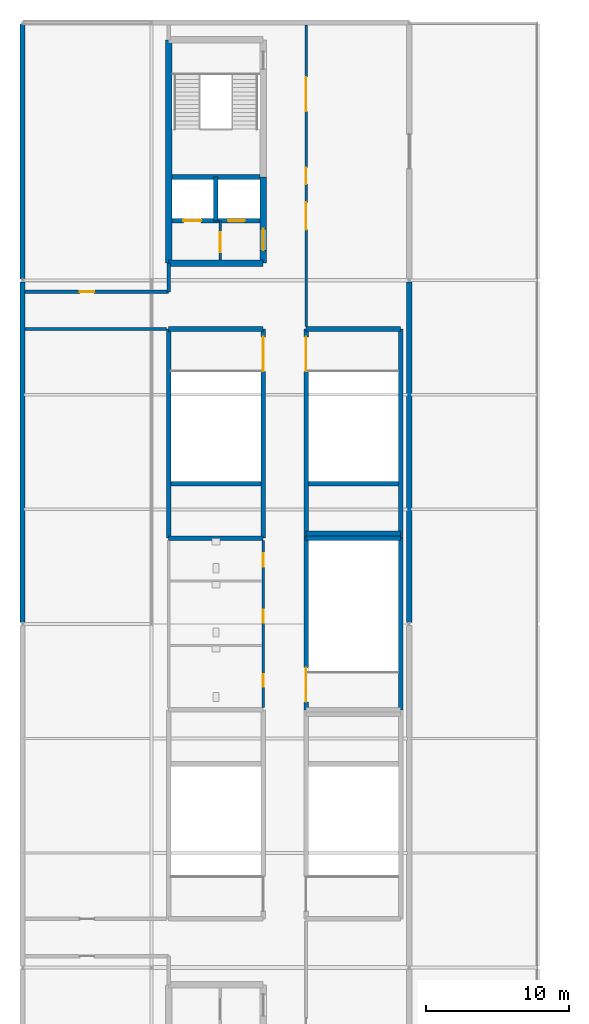
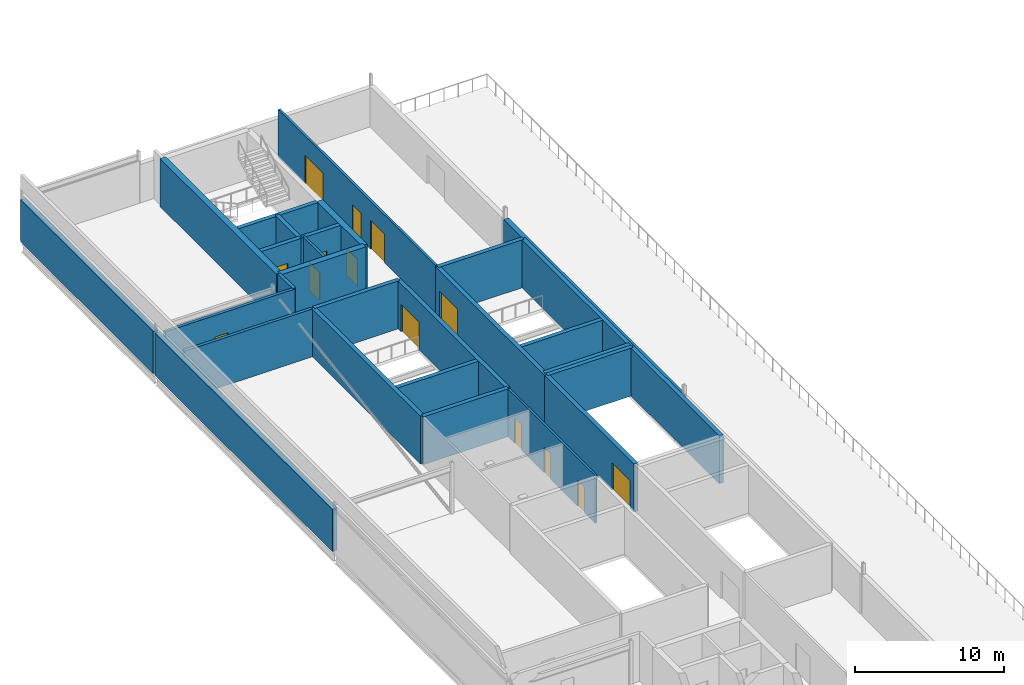
# One storey, part 15 of 23: 29 walls, 14 doors, 14 openings.
"""IFC4 building model written with IfcOpenShell, lengths in metres."""

from ifc_helpers import new_model, si_unit, direction, frame, frame_2d, origin, place, context, subcontext, project, spatial, rectangle, extrude, material, layer, layer_set, type_object, element, fill, save


model = new_model("IFC4")

# Units and contexts
model_context = context("Model", 3, precision=1e-05, world=origin(), true_north=direction((0.0, 1.0)))
body_context = subcontext(model_context, "Body", "Model", "MODEL_VIEW")
ifc_project = project(units=[si_unit("LENGTHUNIT", "METRE"), si_unit("AREAUNIT", "SQUARE_METRE"), si_unit("VOLUMEUNIT", "CUBIC_METRE"), si_unit("PLANEANGLEUNIT", "RADIAN"), si_unit("MASSUNIT", "GRAM", prefix="KILO")], contexts=[model_context])

# Site, building, storey
site_placement = place(None, origin())
site = spatial("IfcSite", under=ifc_project, at=site_placement, CompositionType="ELEMENT")
building_placement = place(site_placement, origin())
building = spatial("IfcBuilding", under=site, at=building_placement, Name="Kisiwana Market Hall", CompositionType="ELEMENT")
storey_placement = place(building_placement, frame((0.0, 0.0, 65.699951171875)))
storey = spatial("IfcBuildingStorey", under=building, at=storey_placement, Name="L15", CompositionType="ELEMENT", Elevation=65.699951171875)

# Wall, opening, door
ifc_material_1 = material(Name="Masonry blockwork", Category="masonry")
ifc_layer_1 = layer(ifc_material_1, 0.199951171875, Name="Plastered fire compartment block wall")
ifc_layer_set_1 = layer_set([ifc_layer_1], Name="WL-COMP-200")
wall_type_1 = type_object("IfcWallType", Name="WL-COMP-200", PredefinedType="PARTITIONING", material=ifc_layer_set_1)
wall_1_placement = place(storey_placement, frame((13.800048828125, 85.425048828125, 0.0), z_axis=(0.0, 0.0, 1.0), x_axis=(0.0, 1.0, 0.0)))
wall_1 = element("IfcWall", 1, at=wall_1_placement, inside=storey, type_object=wall_type_1, Name="Core W1 firefighting lobby wall W-3458", PredefinedType="PARTITIONING", context=body_context, shape_type="SweptSolid", body=[
    extrude(rectangle(XDim=2.72998046875, YDim=0.199951171875, at=frame_2d((1.364990234375, 0.0))), origin(), (0.0, 0.0, 1.0), 3.920166015625),
])
opening_1_placement = place(wall_1_placement, frame((0.550048828125, 0.0, 0.0)))
opening_1 = element("IfcOpeningElement", 2, at=opening_1_placement, cuts=wall_1, Name="Opening DR-L15-006", PredefinedType="OPENING", context=body_context, shape_type="SweptSolid", body=[
    extrude(rectangle(XDim=1.39990234375, YDim=2.25, at=frame_2d((0.699951171875, 1.125))), frame((0.0, 0.11181640625, 0.0), z_axis=(0.0, -1.0, 0.0), x_axis=(1.0, 0.0, 0.0)), (0.0, 0.0, 1.0), 0.223876953125),
])
ifc_material_2 = material(Name="Steel S275", Category="steel")
door_type_1 = type_object("IfcDoorType", Name="DR-FFLOB-FD120-1400", OperationType="DOUBLE_DOOR_SINGLE_SWING", PredefinedType="DOOR", material=ifc_material_2)
door_1_placement = place(opening_1_placement, frame((1.39990234375, 0.0, 0.0), z_axis=(0.0, 0.0, 1.0), x_axis=(-1.0, 0.0, 0.0)))
door_1 = element("IfcDoor", 3, at=door_1_placement, inside=storey, type_object=door_type_1, Name="Firefighting Lift Lobby W1 Door (L15)", OperationType="DOUBLE_DOOR_SINGLE_SWING", OverallHeight=2.25, OverallWidth=1.39990234375, PredefinedType="DOOR", context=body_context, shape_type="SweptSolid", body=[
    extrude(rectangle(XDim=1.39990234375, YDim=2.25, at=frame_2d((0.699951171875, 1.125))), frame((0.0, 0.02490234375, 0.0), z_axis=(0.0, -1.0, 0.0), x_axis=(1.0, 0.0, 0.0)), (0.0, 0.0, 1.0), 0.050048828125),
])
fill(opening_1, door_1)

# Walls
ifc_material_3 = material(Name="Concrete C40/50", Category="concrete")
ifc_layer_2 = layer(ifc_material_3, 0.320068359375, Name="Reinforced concrete shaft wall")
ifc_layer_set_2 = layer_set([ifc_layer_2], Name="WL-CORE-320")
wall_type_2 = type_object("IfcWallType", Name="WL-CORE-320", PredefinedType="SHEAR", material=ifc_layer_set_2)
wall_2_placement = place(storey_placement, frame((10.425048828125, 91.215087890625, 0.0), z_axis=(0.0, 0.0, 1.0), x_axis=(1.0, 0.0, 0.0)))
element("IfcWall", 4, at=wall_2_placement, inside=storey, type_object=wall_type_2, Name="Core W1 shaft back shear wall W-3363", PredefinedType="SHEAR", context=body_context, shape_type="SweptSolid", body=[
    extrude(rectangle(XDim=6.14990234375, YDim=0.320068359375, at=frame_2d((3.074951171875, 0.0))), origin(), (0.0, 0.0, 1.0), 3.920166015625),
])
wall_3_placement = place(storey_placement, frame((13.5, 88.155029296875, 0.0), z_axis=(0.0, 0.0, 1.0), x_axis=(0.0, 1.0, 0.0)))
element("IfcWall", 5, at=wall_3_placement, inside=storey, type_object=wall_type_2, Name="Core W1 inter-shaft shear wall W-3364", PredefinedType="SHEAR", context=body_context, shape_type="SweptSolid", body=[
    extrude(rectangle(XDim=3.06005859375, YDim=0.320068359375, at=frame_2d((1.530029296875, 0.0))), origin(), (0.0, 0.0, 1.0), 3.920166015625),
])

# Wall, opening, door
wall_4_placement = place(storey_placement, frame((10.425048828125, 88.155029296875, 0.0), z_axis=(0.0, 0.0, 1.0), x_axis=(1.0, 0.0, 0.0)))
wall_4 = element("IfcWall", 6, at=wall_4_placement, inside=storey, type_object=wall_type_2, Name="Core W1 west lift front wall W-3365", PredefinedType="SHEAR", context=body_context, shape_type="SweptSolid", body=[
    extrude(rectangle(XDim=3.074951171875, YDim=0.320068359375, at=frame_2d((1.53759765625, 0.0))), origin(), (0.0, 0.0, 1.0), 3.920166015625),
])
opening_2_placement = place(wall_4_placement, frame((0.800048828125, 0.0, 0.0)))
opening_2 = element("IfcOpeningElement", 7, at=opening_2_placement, cuts=wall_4, Name="Opening LD-L15-003", PredefinedType="OPENING", context=body_context, shape_type="SweptSolid", body=[
    extrude(rectangle(XDim=1.25, YDim=2.25, at=frame_2d((0.625, 1.125))), frame((0.0, 0.171875, 0.0), z_axis=(0.0, -1.0, 0.0), x_axis=(1.0, 0.0, 0.0)), (0.0, 0.0, 1.0), 0.343994140625),
])
ifc_material_4 = material(Name="Steel S275", Category="steel")
door_type_2 = type_object("IfcDoorType", Name="DR-LIFT-FFL-1250", OperationType="DOUBLE_DOOR_SLIDING", PredefinedType="DOOR", material=ifc_material_4)
door_2_placement = place(opening_2_placement, origin())
door_2 = element("IfcDoor", 8, at=door_2_placement, inside=storey, type_object=door_type_2, Name="Lift Landing Door FFL-02 (L15)", OperationType="DOUBLE_DOOR_SLIDING", OverallHeight=2.25, OverallWidth=1.25, PredefinedType="DOOR", context=body_context, shape_type="SweptSolid", body=[
    extrude(rectangle(XDim=1.25, YDim=2.25, at=frame_2d((0.625, 1.125))), frame((0.0, 0.02490234375, 0.0), z_axis=(0.0, -1.0, 0.0), x_axis=(1.0, 0.0, 0.0)), (0.0, 0.0, 1.0), 0.050048828125),
])
fill(opening_2, door_2)

wall_5_placement = place(storey_placement, frame((13.5, 88.155029296875, 0.0), z_axis=(0.0, 0.0, 1.0), x_axis=(1.0, 0.0, 0.0)))
wall_5 = element("IfcWall", 9, at=wall_5_placement, inside=storey, type_object=wall_type_2, Name="Core W1 east lift front wall W-3366", PredefinedType="SHEAR", context=body_context, shape_type="SweptSolid", body=[
    extrude(rectangle(XDim=3.074951171875, YDim=0.320068359375, at=frame_2d((1.53759765625, 0.0))), origin(), (0.0, 0.0, 1.0), 3.920166015625),
])
opening_3_placement = place(wall_5_placement, frame((0.85009765625, 0.0, 0.0)))
opening_3 = element("IfcOpeningElement", 10, at=opening_3_placement, cuts=wall_5, Name="Opening LD-L15-004", PredefinedType="OPENING", context=body_context, shape_type="SweptSolid", body=[
    extrude(rectangle(XDim=1.14990234375, YDim=2.199951171875, at=frame_2d((0.574951171875, 1.10009765625))), frame((0.0, 0.171875, 0.0), z_axis=(0.0, -1.0, 0.0), x_axis=(1.0, 0.0, 0.0)), (0.0, 0.0, 1.0), 0.343994140625),
])
ifc_material_5 = material(Name="Steel S275", Category="steel")
door_type_3 = type_object("IfcDoorType", Name="DR-LIFT-PAX-1150", OperationType="DOUBLE_DOOR_SLIDING", PredefinedType="DOOR", material=ifc_material_5)
door_3_placement = place(opening_3_placement, origin())
door_3 = element("IfcDoor", 11, at=door_3_placement, inside=storey, type_object=door_type_3, Name="Lift Landing Door LP-02 (L15)", OperationType="DOUBLE_DOOR_SLIDING", OverallHeight=2.199951171875, OverallWidth=1.14990234375, PredefinedType="DOOR", context=body_context, shape_type="SweptSolid", body=[
    extrude(rectangle(XDim=1.14990234375, YDim=2.199951171875, at=frame_2d((0.574951171875, 1.10009765625))), frame((0.0, 0.02490234375, 0.0), z_axis=(0.0, -1.0, 0.0), x_axis=(1.0, 0.0, 0.0)), (0.0, 0.0, 1.0), 0.050048828125),
])
fill(opening_3, door_3)

# Walls
for number, where, z_axis, x_axis, name in (
    (12, (10.199951171875, 66.0, 0.0), (0.0, 0.0, 1.0), (1.0, 0.0, 0.0), "Core W4 south shear wall W-3390"),
    (13, (10.199951171875, 80.60009765625, 0.0), (0.0, 0.0, 1.0), (1.0, 0.0, 0.0), "Core W4 north shear wall W-3391"),
):
    element("IfcWall", number, at=place(storey_placement, frame(where, z_axis=z_axis, x_axis=x_axis)), inside=storey, type_object=wall_type_2, Name=name, PredefinedType="SHEAR", context=body_context, shape_type="SweptSolid", body=[
        extrude(rectangle(XDim=6.60009765625, YDim=0.320068359375, at=frame_2d((3.300048828125, 0.0))), origin(), (0.0, 0.0, 1.0), 3.920166015625),
    ])
wall_6_placement = place(storey_placement, frame((10.199951171875, 66.0, 0.0), z_axis=(0.0, 0.0, 1.0), x_axis=(0.0, 1.0, 0.0)))
element("IfcWall", 14, at=wall_6_placement, inside=storey, type_object=wall_type_2, Name="Core W4 outer shear wall W-3392", PredefinedType="SHEAR", context=body_context, shape_type="SweptSolid", body=[
    extrude(rectangle(XDim=14.60009765625, YDim=0.320068359375, at=frame_2d((7.300048828125, 0.0))), origin(), (0.0, 0.0, 1.0), 3.920166015625),
])

# Wall, opening, door
wall_7_placement = place(storey_placement, frame((16.800048828125, 66.0, 0.0), z_axis=(0.0, 0.0, 1.0), x_axis=(0.0, 1.0, 0.0)))
wall_7 = element("IfcWall", 15, at=wall_7_placement, inside=storey, type_object=wall_type_2, Name="Core W4 corridor shear wall W-3393", PredefinedType="SHEAR", context=body_context, shape_type="SweptSolid", body=[
    extrude(rectangle(XDim=14.60009765625, YDim=0.320068359375, at=frame_2d((7.300048828125, 0.0))), origin(), (0.0, 0.0, 1.0), 3.920166015625),
])
opening_4_placement = place(wall_7_placement, frame((11.64990234375, 0.0, 0.0)))
opening_4 = element("IfcOpeningElement", 16, at=opening_4_placement, cuts=wall_7, Name="Opening DR-L15-014", PredefinedType="OPENING", context=body_context, shape_type="SweptSolid", body=[
    extrude(rectangle(XDim=2.39990234375, YDim=2.25, at=frame_2d((1.199951171875, 1.125))), frame((0.0, 0.171875, 0.0), z_axis=(0.0, -1.0, 0.0), x_axis=(1.0, 0.0, 0.0)), (0.0, 0.0, 1.0), 0.343994140625),
])
ifc_material_6 = material(Name="Steel S275", Category="steel")
door_type_4 = type_object("IfcDoorType", Name="DR-STAIR-FD120-2400", OperationType="DOUBLE_DOOR_SINGLE_SWING", PredefinedType="DOOR", material=ifc_material_6)
door_4_placement = place(opening_4_placement, origin())
door_4 = element("IfcDoor", 17, at=door_4_placement, inside=storey, type_object=door_type_4, Name="Escape Stair W4 Fire Door (L15)", OperationType="DOUBLE_DOOR_SINGLE_SWING", OverallHeight=2.25, OverallWidth=2.39990234375, PredefinedType="DOOR", context=body_context, shape_type="SweptSolid", body=[
    extrude(rectangle(XDim=2.39990234375, YDim=2.25, at=frame_2d((1.199951171875, 1.125))), frame((0.0, 0.02490234375, 0.0), z_axis=(0.0, -1.0, 0.0), x_axis=(1.0, 0.0, 0.0)), (0.0, 0.0, 1.0), 0.050048828125),
])
fill(opening_4, door_4)

# Walls
wall_8_placement = place(storey_placement, frame((10.360107421875, 69.780029296875, 0.0), z_axis=(0.0, 0.0, 1.0), x_axis=(1.0, 0.0, 0.0)))
element("IfcWall", 18, at=wall_8_placement, inside=storey, type_object=wall_type_2, Name="Core W4 riser divider shear wall W-3394", PredefinedType="SHEAR", context=body_context, shape_type="SweptSolid", body=[
    extrude(rectangle(XDim=6.27978515625, YDim=0.320068359375, at=frame_2d((3.139892578125, 0.0))), origin(), (0.0, 0.0, 1.0), 3.920166015625),
])
for number, where, z_axis, x_axis, name in (
    (19, (19.800048828125, 66.0, 0.0), (0.0, 0.0, 1.0), (1.0, 0.0, 0.0), "Core W8 south shear wall W-3415"),
    (20, (19.800048828125, 80.60009765625, 0.0), (0.0, 0.0, 1.0), (1.0, 0.0, 0.0), "Core W8 north shear wall W-3416"),
):
    element("IfcWall", number, at=place(storey_placement, frame(where, z_axis=z_axis, x_axis=x_axis)), inside=storey, type_object=wall_type_2, Name=name, PredefinedType="SHEAR", context=body_context, shape_type="SweptSolid", body=[
        extrude(rectangle(XDim=6.599853515625, YDim=0.320068359375, at=frame_2d((3.2998046875, 0.0))), origin(), (0.0, 0.0, 1.0), 3.920166015625),
    ])

# Wall, opening, door
wall_9_placement = place(storey_placement, frame((19.800048828125, 66.0, 0.0), z_axis=(0.0, 0.0, 1.0), x_axis=(0.0, 1.0, 0.0)))
wall_9 = element("IfcWall", 21, at=wall_9_placement, inside=storey, type_object=wall_type_2, Name="Core W8 corridor shear wall W-3417", PredefinedType="SHEAR", context=body_context, shape_type="SweptSolid", body=[
    extrude(rectangle(XDim=14.60009765625, YDim=0.320068359375, at=frame_2d((7.300048828125, 0.0))), origin(), (0.0, 0.0, 1.0), 3.920166015625),
])
opening_5_placement = place(wall_9_placement, frame((11.64990234375, 0.0, 0.0)))
opening_5 = element("IfcOpeningElement", 22, at=opening_5_placement, cuts=wall_9, Name="Opening DR-L15-019", PredefinedType="OPENING", context=body_context, shape_type="SweptSolid", body=[
    extrude(rectangle(XDim=2.39990234375, YDim=2.25, at=frame_2d((1.199951171875, 1.125))), frame((0.0, 0.171875, 0.0), z_axis=(0.0, -1.0, 0.0), x_axis=(1.0, 0.0, 0.0)), (0.0, 0.0, 1.0), 0.343994140625),
])
door_5_placement = place(opening_5_placement, frame((2.39990234375, 0.0, 0.0), z_axis=(0.0, 0.0, 1.0), x_axis=(-1.0, 0.0, 0.0)))
door_5 = element("IfcDoor", 23, at=door_5_placement, inside=storey, type_object=door_type_4, Name="Escape Stair W8 Fire Door (L15)", OperationType="DOUBLE_DOOR_SINGLE_SWING", OverallHeight=2.25, OverallWidth=2.39990234375, PredefinedType="DOOR", context=body_context, shape_type="SweptSolid", body=[
    extrude(rectangle(XDim=2.39990234375, YDim=2.25, at=frame_2d((1.199951171875, 1.125))), frame((0.0, 0.02490234375, 0.0), z_axis=(0.0, -1.0, 0.0), x_axis=(1.0, 0.0, 0.0)), (0.0, 0.0, 1.0), 0.050048828125),
])
fill(opening_5, door_5)

# Walls
wall_10_placement = place(storey_placement, frame((26.39990234375, 66.0, 0.0), z_axis=(0.0, 0.0, 1.0), x_axis=(0.0, 1.0, 0.0)))
element("IfcWall", 24, at=wall_10_placement, inside=storey, type_object=wall_type_2, Name="Core W8 outer shear wall W-3418", PredefinedType="SHEAR", context=body_context, shape_type="SweptSolid", body=[
    extrude(rectangle(XDim=14.60009765625, YDim=0.320068359375, at=frame_2d((7.300048828125, 0.0))), origin(), (0.0, 0.0, 1.0), 3.920166015625),
])
wall_11_placement = place(storey_placement, frame((19.9599609375, 69.780029296875, 0.0), z_axis=(0.0, 0.0, 1.0), x_axis=(1.0, 0.0, 0.0)))
element("IfcWall", 25, at=wall_11_placement, inside=storey, type_object=wall_type_2, Name="Core W8 riser divider shear wall W-3419", PredefinedType="SHEAR", context=body_context, shape_type="SweptSolid", body=[
    extrude(rectangle(XDim=6.280029296875, YDim=0.320068359375, at=frame_2d((3.14013671875, 0.0))), origin(), (0.0, 0.0, 1.0), 3.920166015625),
])
wall_12_placement = place(storey_placement, frame((19.800048828125, 66.320068359375, 0.0), z_axis=(0.0, 0.0, 1.0), x_axis=(1.0, 0.0, 0.0)))
element("IfcWall", 26, at=wall_12_placement, inside=storey, type_object=wall_type_2, Name="Core W5 north shear wall W-3426", PredefinedType="SHEAR", context=body_context, shape_type="SweptSolid", body=[
    extrude(rectangle(XDim=6.599853515625, YDim=0.320068359375, at=frame_2d((3.2998046875, 0.0))), origin(), (0.0, 0.0, 1.0), 3.920166015625),
])

# Wall, opening, door
wall_13_placement = place(storey_placement, frame((19.800048828125, 54.0, 0.0), z_axis=(0.0, 0.0, 1.0), x_axis=(0.0, 1.0, 0.0)))
wall_13 = element("IfcWall", 27, at=wall_13_placement, inside=storey, type_object=wall_type_2, Name="Core W5 corridor shear wall W-3427", PredefinedType="SHEAR", context=body_context, shape_type="SweptSolid", body=[
    extrude(rectangle(XDim=12.0, YDim=0.320068359375, at=frame_2d((6.0, 0.0))), origin(), (0.0, 0.0, 1.0), 3.920166015625),
])
opening_6_placement = place(wall_13_placement, frame((0.550048828125, 0.0, 0.0)))
opening_6 = element("IfcOpeningElement", 28, at=opening_6_placement, cuts=wall_13, Name="Opening DR-L15-021", PredefinedType="OPENING", context=body_context, shape_type="SweptSolid", body=[
    extrude(rectangle(XDim=2.39990234375, YDim=2.25, at=frame_2d((1.199951171875, 1.125))), frame((0.0, 0.171875, 0.0), z_axis=(0.0, -1.0, 0.0), x_axis=(1.0, 0.0, 0.0)), (0.0, 0.0, 1.0), 0.343994140625),
])
door_6_placement = place(opening_6_placement, frame((2.39990234375, 0.0, 0.0), z_axis=(0.0, 0.0, 1.0), x_axis=(-1.0, 0.0, 0.0)))
door_6 = element("IfcDoor", 29, at=door_6_placement, inside=storey, type_object=door_type_4, Name="Escape Stair W5 Fire Door (L15)", OperationType="DOUBLE_DOOR_SINGLE_SWING", OverallHeight=2.25, OverallWidth=2.39990234375, PredefinedType="DOOR", context=body_context, shape_type="SweptSolid", body=[
    extrude(rectangle(XDim=2.39990234375, YDim=2.25, at=frame_2d((1.199951171875, 1.125))), frame((0.0, 0.02490234375, 0.0), z_axis=(0.0, -1.0, 0.0), x_axis=(1.0, 0.0, 0.0)), (0.0, 0.0, 1.0), 0.050048828125),
])
fill(opening_6, door_6)

# Walls
wall_14_placement = place(storey_placement, frame((26.39990234375, 54.0, 0.0), z_axis=(0.0, 0.0, 1.0), x_axis=(0.0, 1.0, 0.0)))
element("IfcWall", 30, at=wall_14_placement, inside=storey, type_object=wall_type_2, Name="Core W5 outer shear wall W-3428", PredefinedType="SHEAR", context=body_context, shape_type="SweptSolid", body=[
    extrude(rectangle(XDim=12.0, YDim=0.320068359375, at=frame_2d((6.0, 0.0))), origin(), (0.0, 0.0, 1.0), 3.920166015625),
])
ifc_material_7 = material(Name="Concrete C40/50", Category="concrete")
ifc_layer_3 = layer(ifc_material_7, 0.449951171875, Name="Reinforced concrete core wall")
ifc_layer_set_3 = layer_set([ifc_layer_3], Name="WL-CORE-450")
wall_type_3 = type_object("IfcWallType", Name="WL-CORE-450", PredefinedType="SHEAR", material=ifc_layer_set_3)
wall_15_placement = place(storey_placement, frame((10.199951171875, 85.199951171875, 0.0), z_axis=(0.0, 0.0, 1.0), x_axis=(1.0, 0.0, 0.0)))
element("IfcWall", 31, at=wall_15_placement, inside=storey, type_object=wall_type_3, Name="Core W1 south shear wall W-3358", PredefinedType="SHEAR", context=body_context, shape_type="SweptSolid", body=[
    extrude(rectangle(XDim=6.60009765625, YDim=0.449951171875, at=frame_2d((3.300048828125, 0.0))), origin(), (0.0, 0.0, 1.0), 3.920166015625),
])
wall_16_placement = place(storey_placement, frame((10.199951171875, 85.199951171875, 0.0), z_axis=(0.0, 0.0, 1.0), x_axis=(0.0, 1.0, 0.0)))
element("IfcWall", 32, at=wall_16_placement, inside=storey, type_object=wall_type_3, Name="Core W1 outer shear wall W-3360", PredefinedType="SHEAR", context=body_context, shape_type="SweptSolid", body=[
    extrude(rectangle(XDim=15.60009765625, YDim=0.449951171875, at=frame_2d((7.800048828125, 0.0))), origin(), (0.0, 0.0, 1.0), 3.920166015625),
])

# Wall, opening, door
wall_17_placement = place(storey_placement, frame((16.800048828125, 85.199951171875, 0.0), z_axis=(0.0, 0.0, 1.0), x_axis=(0.0, 1.0, 0.0)))
wall_17 = element("IfcWall", 33, at=wall_17_placement, inside=storey, type_object=wall_type_3, Name="Core W1 lobby corridor shear wall W-3361", PredefinedType="SHEAR", context=body_context, shape_type="SweptSolid", body=[
    extrude(rectangle(XDim=6.01513671875, YDim=0.449951171875, at=frame_2d((3.007568359375, 0.0))), origin(), (0.0, 0.0, 1.0), 3.920166015625),
])
opening_7_placement = place(wall_17_placement, frame((0.89990234375, 0.0, 0.0)))
opening_7 = element("IfcOpeningElement", 34, at=opening_7_placement, cuts=wall_17, Name="Opening DR-L15-004", PredefinedType="OPENING", context=body_context, shape_type="SweptSolid", body=[
    extrude(rectangle(XDim=1.5, YDim=2.199951171875, at=frame_2d((0.75, 1.10009765625))), frame((0.0, 0.23681640625, 0.0), z_axis=(0.0, -1.0, 0.0), x_axis=(1.0, 0.0, 0.0)), (0.0, 0.0, 1.0), 0.473876953125),
])
ifc_material_8 = material(Name="Steel S275", Category="steel")
door_type_5 = type_object("IfcDoorType", Name="DR-CORR-FD60-1500", OperationType="DOUBLE_DOOR_SINGLE_SWING", PredefinedType="DOOR", material=ifc_material_8)
door_7_placement = place(opening_7_placement, frame((1.5, 0.0, 0.0), z_axis=(0.0, 0.0, 1.0), x_axis=(-1.0, 0.0, 0.0)))
door_7 = element("IfcDoor", 35, at=door_7_placement, inside=storey, type_object=door_type_5, Name="Passenger Lift Lobby W1 Smoke Door (L15)", OperationType="DOUBLE_DOOR_SINGLE_SWING", OverallHeight=2.199951171875, OverallWidth=1.5, PredefinedType="DOOR", context=body_context, shape_type="SweptSolid", body=[
    extrude(rectangle(XDim=1.5, YDim=2.199951171875, at=frame_2d((0.75, 1.10009765625))), frame((0.0, 0.02490234375, 0.0), z_axis=(0.0, -1.0, 0.0), x_axis=(1.0, 0.0, 0.0)), (0.0, 0.0, 1.0), 0.050048828125),
])
fill(opening_7, door_7)

# Wall, openings, doors
ifc_material_9 = material(Name="Masonry blockwork", Category="masonry")
ifc_layer_4 = layer(ifc_material_9, 0.169921875, Name="Protected corridor partition")
ifc_layer_set_4 = layer_set([ifc_layer_4], Name="WL-CORR-170")
wall_type_4 = type_object("IfcWallType", Name="WL-CORR-170", PredefinedType="PARTITIONING", material=ifc_layer_set_4)
wall_18_placement = place(storey_placement, frame((16.800048828125, 54.159912109375, 0.0), z_axis=(0.0, 0.0, 1.0), x_axis=(0.0, 1.0, 0.0)))
wall_18 = element("IfcWall", 36, at=wall_18_placement, inside=storey, type_object=wall_type_4, Name="Interior partition W-3462", PredefinedType="PARTITIONING", context=body_context, shape_type="SweptSolid", body=[
    extrude(rectangle(XDim=11.68017578125, YDim=0.169921875, at=frame_2d((5.840087890625, 0.0))), origin(), (0.0, 0.0, 1.0), 3.920166015625),
])
opening_8_placement = place(wall_18_placement, frame((1.43994140625, 0.0, 0.0)))
opening_8 = element("IfcOpeningElement", 37, at=opening_8_placement, cuts=wall_18, Name="Opening DR-L15-023", PredefinedType="OPENING", context=body_context, shape_type="SweptSolid", body=[
    extrude(rectangle(XDim=0.89990234375, YDim=2.10009765625, at=frame_2d((0.449951171875, 1.050048828125))), frame((0.0, 0.096923828125, 0.0), z_axis=(0.0, -1.0, 0.0), x_axis=(1.0, 0.0, 0.0)), (0.0, 0.0, 1.0), 0.19384765625),
])
opening_9_placement = place(wall_18_placement, frame((5.93994140625, 0.0, 0.0)))
opening_9 = element("IfcOpeningElement", 38, at=opening_9_placement, cuts=wall_18, Name="Opening DR-L15-024", PredefinedType="OPENING", context=body_context, shape_type="SweptSolid", body=[
    extrude(rectangle(XDim=0.89990234375, YDim=2.10009765625, at=frame_2d((0.449951171875, 1.050048828125))), frame((0.0, 0.096923828125, 0.0), z_axis=(0.0, -1.0, 0.0), x_axis=(1.0, 0.0, 0.0)), (0.0, 0.0, 1.0), 0.19384765625),
])
opening_10_placement = place(wall_18_placement, frame((9.840087890625, 0.0, 0.0)))
opening_10 = element("IfcOpeningElement", 39, at=opening_10_placement, cuts=wall_18, Name="Opening DR-L15-025", PredefinedType="OPENING", context=body_context, shape_type="SweptSolid", body=[
    extrude(rectangle(XDim=0.949951171875, YDim=2.10009765625, at=frame_2d((0.47509765625, 1.050048828125))), frame((0.0, 0.096923828125, 0.0), z_axis=(0.0, -1.0, 0.0), x_axis=(1.0, 0.0, 0.0)), (0.0, 0.0, 1.0), 0.19384765625),
])
ifc_material_10 = material(Name="Aluminium alloy 6063-T6", Category="aluminium")
door_type_6 = type_object("IfcDoorType", Name="DR-WC-ACC-950", OperationType="NOTDEFINED", PredefinedType="DOOR", material=ifc_material_10)
door_8_placement = place(opening_10_placement, origin())
door_8 = element("IfcDoor", 40, at=door_8_placement, inside=storey, type_object=door_type_6, Name="L15 W Accessible WC Door", OperationType="SINGLE_SWING_RIGHT", OverallHeight=2.10009765625, OverallWidth=0.949951171875, PredefinedType="DOOR", context=body_context, shape_type="SweptSolid", body=[
    extrude(rectangle(XDim=0.949951171875, YDim=2.10009765625, at=frame_2d((0.47509765625, 1.050048828125))), frame((0.0, 0.02490234375, 0.0), z_axis=(0.0, -1.0, 0.0), x_axis=(1.0, 0.0, 0.0)), (0.0, 0.0, 1.0), 0.050048828125),
])
fill(opening_10, door_8)
ifc_material_11 = material(Name="Aluminium alloy 6063-T6", Category="aluminium")
door_type_7 = type_object("IfcDoorType", Name="DR-WC-STD-900", OperationType="NOTDEFINED", PredefinedType="DOOR", material=ifc_material_11)
door_9_placement = place(opening_8_placement, origin())
door_9 = element("IfcDoor", 41, at=door_9_placement, inside=storey, type_object=door_type_7, Name="L15 W Male Toilet Door", OperationType="SINGLE_SWING_LEFT", OverallHeight=2.10009765625, OverallWidth=0.89990234375, PredefinedType="DOOR", context=body_context, shape_type="SweptSolid", body=[
    extrude(rectangle(XDim=0.89990234375, YDim=2.10009765625, at=frame_2d((0.449951171875, 1.050048828125))), frame((0.0, 0.02490234375, 0.0), z_axis=(0.0, -1.0, 0.0), x_axis=(1.0, 0.0, 0.0)), (0.0, 0.0, 1.0), 0.050048828125),
])
fill(opening_8, door_9)
door_10_placement = place(opening_9_placement, origin())
door_10 = element("IfcDoor", 42, at=door_10_placement, inside=storey, type_object=door_type_7, Name="L15 W Female Toilet Door", OperationType="SINGLE_SWING_RIGHT", OverallHeight=2.10009765625, OverallWidth=0.89990234375, PredefinedType="DOOR", context=body_context, shape_type="SweptSolid", body=[
    extrude(rectangle(XDim=0.89990234375, YDim=2.10009765625, at=frame_2d((0.449951171875, 1.050048828125))), frame((0.0, 0.02490234375, 0.0), z_axis=(0.0, -1.0, 0.0), x_axis=(1.0, 0.0, 0.0)), (0.0, 0.0, 1.0), 0.050048828125),
])
fill(opening_9, door_10)

wall_19_placement = place(storey_placement, frame((19.800048828125, 80.760009765625, 0.0), z_axis=(0.0, 0.0, 1.0), x_axis=(0.0, 1.0, 0.0)))
wall_19 = element("IfcWall", 43, at=wall_19_placement, inside=storey, type_object=wall_type_4, Name="Interior partition W-3474", PredefinedType="PARTITIONING", context=body_context, shape_type="SweptSolid", body=[
    extrude(rectangle(XDim=21.070068359375, YDim=0.169921875, at=frame_2d((10.53515625, 0.0))), origin(), (0.0, 0.0, 1.0), 3.920166015625),
])
opening_11_placement = place(wall_19_placement, frame((6.7900390625, 0.0, 0.0)))
opening_11 = element("IfcOpeningElement", 44, at=opening_11_placement, cuts=wall_19, Name="Opening DR-L15-030", PredefinedType="OPENING", context=body_context, shape_type="SweptSolid", body=[
    extrude(rectangle(XDim=1.89990234375, YDim=2.35009765625, at=frame_2d((0.949951171875, 1.175048828125))), frame((0.0, 0.096923828125, 0.0), z_axis=(0.0, -1.0, 0.0), x_axis=(1.0, 0.0, 0.0)), (0.0, 0.0, 1.0), 0.19384765625),
])
opening_12_placement = place(wall_19_placement, frame((15.0400390625, 0.0, 0.0)))
opening_12 = element("IfcOpeningElement", 45, at=opening_12_placement, cuts=wall_19, Name="Opening DR-L15-031", PredefinedType="OPENING", context=body_context, shape_type="SweptSolid", body=[
    extrude(rectangle(XDim=2.39990234375, YDim=2.35009765625, at=frame_2d((1.199951171875, 1.175048828125))), frame((0.0, 0.096923828125, 0.0), z_axis=(0.0, -1.0, 0.0), x_axis=(1.0, 0.0, 0.0)), (0.0, 0.0, 1.0), 0.19384765625),
])
opening_13_placement = place(wall_19_placement, frame((9.9599609375, 0.0, 0.0)))
opening_13 = element("IfcOpeningElement", 46, at=opening_13_placement, cuts=wall_19, Name="Opening DR-L15-032", PredefinedType="OPENING", context=body_context, shape_type="SweptSolid", body=[
    extrude(rectangle(XDim=1.14990234375, YDim=2.14990234375, at=frame_2d((0.574951171875, 1.074951171875))), frame((0.0, 0.096923828125, 0.0), z_axis=(0.0, -1.0, 0.0), x_axis=(1.0, 0.0, 0.0)), (0.0, 0.0, 1.0), 0.19384765625),
])
ifc_material_12 = material(Name="Steel S275", Category="steel")
door_type_8 = type_object("IfcDoorType", Name="DR-HALL-1900", OperationType="DOUBLE_DOOR_SINGLE_SWING", PredefinedType="DOOR", material=ifc_material_12)
door_11_placement = place(opening_11_placement, frame((1.89990234375, 0.0, 0.0), z_axis=(0.0, 0.0, 1.0), x_axis=(-1.0, 0.0, 0.0)))
door_11 = element("IfcDoor", 47, at=door_11_placement, inside=storey, type_object=door_type_8, Name="L15 W Executive Board Observatory Door", OperationType="DOUBLE_DOOR_SINGLE_SWING", OverallHeight=2.35009765625, OverallWidth=1.89990234375, PredefinedType="DOOR", context=body_context, shape_type="SweptSolid", body=[
    extrude(rectangle(XDim=1.89990234375, YDim=2.35009765625, at=frame_2d((0.949951171875, 1.175048828125))), frame((0.0, 0.02490234375, 0.0), z_axis=(0.0, -1.0, 0.0), x_axis=(1.0, 0.0, 0.0)), (0.0, 0.0, 1.0), 0.050048828125),
])
fill(opening_11, door_11)
ifc_material_13 = material(Name="Steel S275", Category="steel")
door_type_9 = type_object("IfcDoorType", Name="DR-HALL-2400", OperationType="DOUBLE_DOOR_SINGLE_SWING", PredefinedType="DOOR", material=ifc_material_13)
door_12_placement = place(opening_12_placement, frame((2.39990234375, 0.0, 0.0), z_axis=(0.0, 0.0, 1.0), x_axis=(-1.0, 0.0, 0.0)))
door_12 = element("IfcDoor", 48, at=door_12_placement, inside=storey, type_object=door_type_9, Name="L15 W Executive Board Observatory Second Door", OperationType="DOUBLE_DOOR_SINGLE_SWING", OverallHeight=2.35009765625, OverallWidth=2.39990234375, PredefinedType="DOOR", context=body_context, shape_type="SweptSolid", body=[
    extrude(rectangle(XDim=2.39990234375, YDim=2.35009765625, at=frame_2d((1.199951171875, 1.175048828125))), frame((0.0, 0.02490234375, 0.0), z_axis=(0.0, -1.0, 0.0), x_axis=(1.0, 0.0, 0.0)), (0.0, 0.0, 1.0), 0.050048828125),
])
fill(opening_12, door_12)
ifc_material_14 = material(Name="Aluminium alloy 6063-T6", Category="aluminium")
door_type_10 = type_object("IfcDoorType", Name="DR-MEET-1150", OperationType="NOTDEFINED", PredefinedType="DOOR", material=ifc_material_14)
door_13_placement = place(opening_13_placement, frame((1.14990234375, 0.0, 0.0), z_axis=(0.0, 0.0, 1.0), x_axis=(-1.0, 0.0, 0.0)))
door_13 = element("IfcDoor", 49, at=door_13_placement, inside=storey, type_object=door_type_10, Name="L15 W Constructivist Architecture Studio Door", OperationType="SINGLE_SWING_LEFT", OverallHeight=2.14990234375, OverallWidth=1.14990234375, PredefinedType="DOOR", context=body_context, shape_type="SweptSolid", body=[
    extrude(rectangle(XDim=1.14990234375, YDim=2.14990234375, at=frame_2d((0.574951171875, 1.074951171875))), frame((0.0, 0.02490234375, 0.0), z_axis=(0.0, -1.0, 0.0), x_axis=(1.0, 0.0, 0.0)), (0.0, 0.0, 1.0), 0.050048828125),
])
fill(opening_13, door_13)

# Walls
ifc_material_15 = material(Name="Concrete C40/50 precast", Category="concrete")
ifc_layer_5 = layer(ifc_material_15, 0.364990234375)
ifc_layer_set_5 = layer_set([ifc_layer_5], Name="WL-EXT-365")
wall_type_5 = type_object("IfcWallType", Name="WL-EXT-365", PredefinedType="STANDARD", material=ifc_layer_set_5)
wall_20_placement = place(storey_placement, frame((0.0, 60.107666015625, 0.0), z_axis=(0.0, 0.0, 1.0), x_axis=(0.0, 1.0, 0.0)))
element("IfcWall", 50, at=wall_20_placement, inside=storey, type_object=wall_type_5, Name="Exterior wall W-3443", PredefinedType="STANDARD", context=body_context, shape_type="SweptSolid", body=[
    extrude(rectangle(XDim=23.78466796875, YDim=0.364990234375, at=frame_2d((11.892333984375, 0.0))), origin(), (0.0, 0.0, 1.0), 3.447998046875),
])
wall_21_placement = place(storey_placement, frame((0.0, 84.107666015625, 0.0), z_axis=(0.0, 0.0, 1.0), x_axis=(0.0, 1.0, 0.0)))
element("IfcWall", 51, at=wall_21_placement, inside=storey, type_object=wall_type_5, Name="Exterior wall W-3444", PredefinedType="STANDARD", context=body_context, shape_type="SweptSolid", body=[
    extrude(rectangle(XDim=17.78466796875, YDim=0.364990234375, at=frame_2d((8.892333984375, 0.0))), origin(), (0.0, 0.0, 1.0), 3.447998046875),
])
wall_22_placement = place(storey_placement, frame((27.0, 60.107666015625, 0.0), z_axis=(0.0, 0.0, 1.0), x_axis=(0.0, 1.0, 0.0)))
element("IfcWall", 52, at=wall_22_placement, inside=storey, type_object=wall_type_5, Name="Exterior wall W-3447", PredefinedType="STANDARD", context=body_context, shape_type="SweptSolid", body=[
    extrude(rectangle(XDim=23.78466796875, YDim=0.364990234375, at=frame_2d((11.892333984375, 0.0))), origin(), (0.0, 0.0, 1.0), 3.307861328125),
])
ifc_material_16 = material(Name="Concrete C32/40", Category="concrete")
ifc_layer_6 = layer(ifc_material_16, 0.235107421875)
ifc_layer_set_6 = layer_set([ifc_layer_6], Name="WL-PART-235")
wall_type_6 = type_object("IfcWallType", Name="WL-PART-235", PredefinedType="PARTITIONING", material=ifc_layer_set_6)
wall_23_placement = place(storey_placement, frame((10.199951171875, 83.199951171875, 0.0), z_axis=(0.0, 0.0, 1.0), x_axis=(0.0, 1.0, 0.0)))
element("IfcWall", 53, at=wall_23_placement, inside=storey, type_object=wall_type_6, Name="Interior partition W-3466", PredefinedType="PARTITIONING", context=body_context, shape_type="SweptSolid", body=[
    extrude(rectangle(XDim=2.0, YDim=0.235107421875, at=frame_2d((1.0, 0.0))), origin(), (0.0, 0.0, 1.0), 3.920166015625),
])
wall_24_placement = place(storey_placement, frame((0.169921875, 80.60009765625, 0.0), z_axis=(0.0, 0.0, 1.0), x_axis=(1.0, 0.0, 0.0)))
element("IfcWall", 54, at=wall_24_placement, inside=storey, type_object=wall_type_6, Name="Interior partition W-3471", PredefinedType="PARTITIONING", context=body_context, shape_type="SweptSolid", body=[
    extrude(rectangle(XDim=9.8701171875, YDim=0.235107421875, at=frame_2d((4.93505859375, 0.0))), origin(), (0.0, 0.0, 1.0), 3.920166015625),
])

# Wall, opening, door
wall_25_placement = place(storey_placement, frame((0.169921875, 83.199951171875, 0.0), z_axis=(0.0, 0.0, 1.0), x_axis=(1.0, 0.0, 0.0)))
wall_25 = element("IfcWall", 55, at=wall_25_placement, inside=storey, type_object=wall_type_6, Name="Interior partition W-3472", PredefinedType="PARTITIONING", context=body_context, shape_type="SweptSolid", body=[
    extrude(rectangle(XDim=10.030029296875, YDim=0.235107421875, at=frame_2d((5.01513671875, 0.0))), origin(), (0.0, 0.0, 1.0), 3.920166015625),
])
opening_14_placement = place(wall_25_placement, frame((3.830078125, 0.0, 0.0)))
opening_14 = element("IfcOpeningElement", 56, at=opening_14_placement, cuts=wall_25, Name="Opening DR-L15-028", PredefinedType="OPENING", context=body_context, shape_type="SweptSolid", body=[
    extrude(rectangle(XDim=1.0, YDim=2.14990234375, at=frame_2d((0.5, 1.074951171875))), frame((0.0, 0.12939453125, 0.0), z_axis=(0.0, -1.0, 0.0), x_axis=(1.0, 0.0, 0.0)), (0.0, 0.0, 1.0), 0.259033203125),
])
ifc_material_17 = material(Name="Aluminium alloy 6063-T6", Category="aluminium")
door_type_11 = type_object("IfcDoorType", Name="DR-OFF-1000", OperationType="NOTDEFINED", PredefinedType="DOOR", material=ifc_material_17)
door_14_placement = place(opening_14_placement, origin())
door_14 = element("IfcDoor", 57, at=door_14_placement, inside=storey, type_object=door_type_11, Name="L15 W Design Studio North Door", OperationType="SINGLE_SWING_LEFT", OverallHeight=2.14990234375, OverallWidth=1.0, PredefinedType="DOOR", context=body_context, shape_type="SweptSolid", body=[
    extrude(rectangle(XDim=1.0, YDim=2.14990234375, at=frame_2d((0.5, 1.074951171875))), frame((0.0, 0.02490234375, 0.0), z_axis=(0.0, -1.0, 0.0), x_axis=(1.0, 0.0, 0.0)), (0.0, 0.0, 1.0), 0.050048828125),
])
fill(opening_14, door_14)

save(model, "model.ifc")
